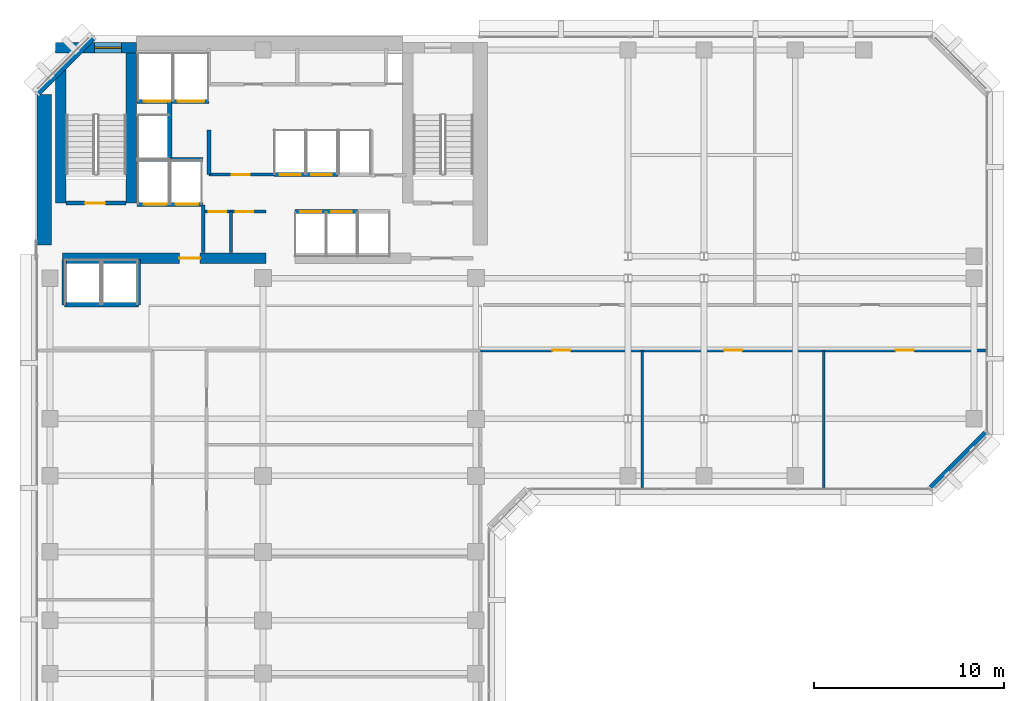
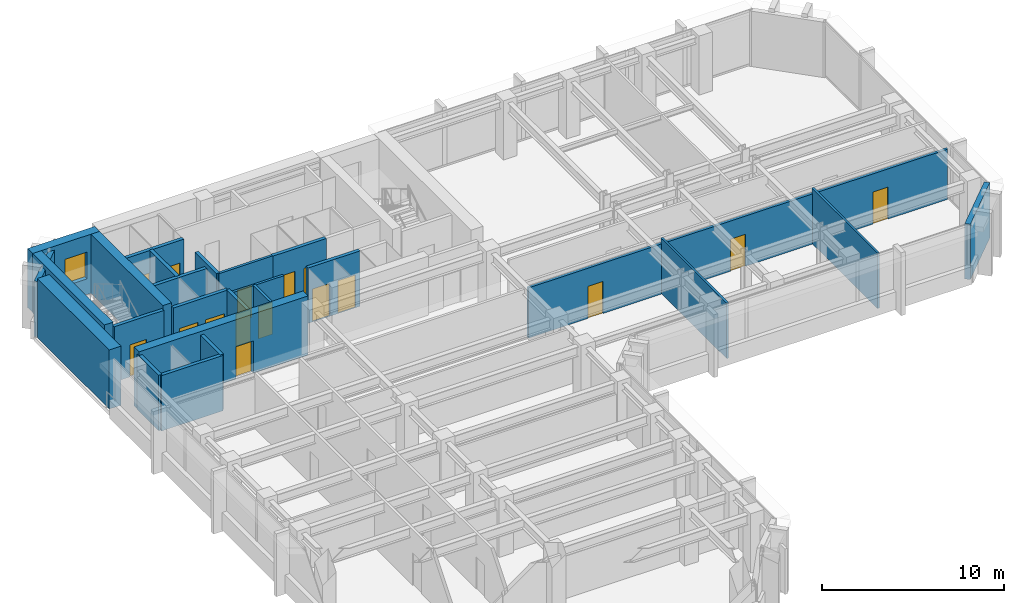
# One storey, part 7 of 11: 25 walls, 16 doors, 1 window, 17 openings.
"""IFC4 building model written with IfcOpenShell, lengths in metres."""

from ifc_helpers import new_model, si_unit, direction, frame, frame_2d, origin, place, context, subcontext, project, spatial, rectangle, extrude, material, layer, layer_set, type_object, element, fill, save


model = new_model("IFC4")

# Units and contexts
model_context = context("Model", 3, precision=1e-05, world=origin(), true_north=direction((0.0, 1.0)))
body_context = subcontext(model_context, "Body", "Model", "MODEL_VIEW")
ifc_project = project(units=[si_unit("LENGTHUNIT", "METRE"), si_unit("AREAUNIT", "SQUARE_METRE"), si_unit("VOLUMEUNIT", "CUBIC_METRE"), si_unit("PLANEANGLEUNIT", "RADIAN"), si_unit("MASSUNIT", "GRAM", prefix="KILO")], contexts=[model_context])

# Site, building, storey
site_placement = place(None, origin())
site = spatial("IfcSite", under=ifc_project, at=site_placement, CompositionType="ELEMENT")
building_placement = place(site_placement, origin())
building = spatial("IfcBuilding", under=site, at=building_placement, Name="Kefirva Bronze Tower", CompositionType="ELEMENT")
storey_placement = place(building_placement, frame((0.0, 0.0, 146.85009765625)))
storey = spatial("IfcBuildingStorey", under=building, at=storey_placement, Name="L35", CompositionType="ELEMENT", Elevation=146.85009765625)

# Walls
ifc_material_1 = material(Name="Gypsum acoustic partition")
ifc_layer_1 = layer(ifc_material_1, 0.1298828125, Name="Gypsum acoustic partition")
ifc_layer_set_1 = layer_set([ifc_layer_1], Name="Gypsum acoustic partition")
wall_type_1 = type_object("IfcWallType", Name="Acoustic Office Partition 130mm", PredefinedType="PARTITIONING", material=ifc_layer_set_1)
for number, where, z_axis, x_axis, name in (
    (1, (31.94921875, 22.18994140625, 0.0), (0.0, 0.0, 1.0), (0.0, 1.0, 0.0), "L35 Partition W-L35-ESD1"),
    (2, (41.5107421875, 22.18994140625, 0.0), (0.0, 0.0, 1.0), (0.0, 1.0, 0.0), "L35 Partition W-L35-ESD2"),
):
    element("IfcWall", number, at=place(storey_placement, frame(where, z_axis=z_axis, x_axis=x_axis)), inside=storey, type_object=wall_type_1, Name=name, PredefinedType="PARTITIONING", context=body_context, shape_type="SweptSolid", body=[
        extrude(rectangle(XDim=7.2099609375, YDim=0.1298828125, at=frame_2d((3.60498046875, 0.0))), origin(), (0.0, 0.0, 1.0), 3.7099609375),
    ])

# Wall, opening, door
ifc_material_2 = material(Name="Gypsum fireboard shaftwall")
ifc_layer_2 = layer(ifc_material_2, 0.219970703125, Name="Gypsum fireboard shaftwall")
ifc_layer_set_2 = layer_set([ifc_layer_2], Name="Gypsum fireboard shaftwall")
wall_type_2 = type_object("IfcWallType", Name="Fire-Rated Shaft Enclosure Wall 220mm", PredefinedType="PARTITIONING", material=ifc_layer_set_2)
wall_1_placement = place(storey_placement, frame((1.64990234375, 37.14990234375, 0.0), z_axis=(0.0, 0.0, 1.0), x_axis=(1.0, 0.0, 0.0)))
wall_1 = element("IfcWall", 3, at=wall_1_placement, inside=storey, type_object=wall_type_2, Name="L35 Partition W-L35-ST1S", PredefinedType="PARTITIONING", context=body_context, shape_type="SweptSolid", body=[
    extrude(rectangle(XDim=3.150146484375, YDim=0.219970703125, at=frame_2d((1.5751953125, 0.0))), origin(), (0.0, 0.0, 1.0), 3.7099609375),
])
opening_1_placement = place(wall_1_placement, frame((2.050048828125, 0.0, 0.0), z_axis=(0.0, 0.0, 1.0), x_axis=(-1.0, 0.0, 0.0)))
opening_1 = element("IfcOpeningElement", 4, at=opening_1_placement, cuts=wall_1, Name="Opening L35-D001", PredefinedType="OPENING", context=body_context, shape_type="SweptSolid", body=[
    extrude(rectangle(XDim=1.050048828125, YDim=2.14990234375, at=frame_2d((0.52490234375, 1.074951171875))), frame((0.0, 0.1201171875, 0.0), z_axis=(0.0, -1.0, 0.0), x_axis=(1.0, 0.0, 0.0)), (0.0, 0.0, 1.0), 0.239990234375),
])
ifc_material_3 = material(Name="Painted galvanized steel", Category="steel")
door_type_1 = type_object("IfcDoorType", Name="Fire Stair Enclosure Door 1050x2150 FD90S", OperationType="NOTDEFINED", PredefinedType="DOOR", material=ifc_material_3)
door_1_placement = place(opening_1_placement, origin())
door_1 = element("IfcDoor", 5, at=door_1_placement, inside=storey, type_object=door_type_1, Name="Door L35-D001", OperationType="SINGLE_SWING_LEFT", OverallHeight=2.14990234375, OverallWidth=1.050048828125, PredefinedType="DOOR", context=body_context, shape_type="SweptSolid", body=[
    extrude(rectangle(XDim=1.050048828125, YDim=2.14990234375, at=frame_2d((0.52490234375, 1.074951171875))), frame((0.0, 0.02490234375, 0.0), z_axis=(0.0, -1.0, 0.0), x_axis=(1.0, 0.0, 0.0)), (0.0, 0.0, 1.0), 0.050048828125),
])
fill(opening_1, door_1)

# Wall, openings, doors
wall_2_placement = place(storey_placement, frame((5.3798828125, 37.080078125, 0.0), z_axis=(0.0, 0.0, 1.0), x_axis=(1.0, 0.0, 0.0)))
wall_2 = element("IfcWall", 6, at=wall_2_placement, inside=storey, type_object=wall_type_2, Name="L35 Partition W-L35-FFS", PredefinedType="PARTITIONING", context=body_context, shape_type="SweptSolid", body=[
    extrude(rectangle(XDim=3.460205078125, YDim=0.219970703125, at=frame_2d((1.72998046875, 0.0))), origin(), (0.0, 0.0, 1.0), 3.7099609375),
])
opening_2_placement = place(wall_2_placement, frame((1.550048828125, 0.0, 0.0), z_axis=(0.0, 0.0, 1.0), x_axis=(-1.0, 0.0, 0.0)))
opening_2 = element("IfcOpeningElement", 7, at=opening_2_placement, cuts=wall_2, Name="Opening L35-LD-FF1", PredefinedType="OPENING", context=body_context, shape_type="SweptSolid", body=[
    extrude(rectangle(XDim=1.199951171875, YDim=2.199951171875, at=frame_2d((0.60009765625, 1.10009765625))), frame((0.0, 0.1201171875, 0.0), z_axis=(0.0, -1.0, 0.0), x_axis=(1.0, 0.0, 0.0)), (0.0, 0.0, 1.0), 0.239990234375),
])
opening_3_placement = place(wall_2_placement, frame((3.219970703125, 0.0, 0.0), z_axis=(0.0, 0.0, 1.0), x_axis=(-1.0, 0.0, 0.0)))
opening_3 = element("IfcOpeningElement", 8, at=opening_3_placement, cuts=wall_2, Name="Opening L35-LD-FF2", PredefinedType="OPENING", context=body_context, shape_type="SweptSolid", body=[
    extrude(rectangle(XDim=1.199951171875, YDim=2.199951171875, at=frame_2d((0.60009765625, 1.10009765625))), frame((0.0, 0.1201171875, 0.0), z_axis=(0.0, -1.0, 0.0), x_axis=(1.0, 0.0, 0.0)), (0.0, 0.0, 1.0), 0.239990234375),
])
ifc_material_4 = material(Name="Stainless steel 316", Category="steel")
door_type_2 = type_object("IfcDoorType", Name="Firefighting Lift Sliding Door 1200x2200", OperationType="SLIDING_TO_RIGHT", PredefinedType="DOOR", material=ifc_material_4)
door_2_placement = place(opening_2_placement, origin())
door_2 = element("IfcDoor", 9, at=door_2_placement, inside=storey, type_object=door_type_2, Name="Door L35-LD-FF1", OperationType="SLIDING_TO_RIGHT", OverallHeight=2.199951171875, OverallWidth=1.199951171875, PredefinedType="DOOR", context=body_context, shape_type="SweptSolid", body=[
    extrude(rectangle(XDim=1.199951171875, YDim=2.199951171875, at=frame_2d((0.60009765625, 1.10009765625))), frame((0.0, 0.02490234375, 0.0), z_axis=(0.0, -1.0, 0.0), x_axis=(1.0, 0.0, 0.0)), (0.0, 0.0, 1.0), 0.050048828125),
])
fill(opening_2, door_2)
door_3_placement = place(opening_3_placement, origin())
door_3 = element("IfcDoor", 10, at=door_3_placement, inside=storey, type_object=door_type_2, Name="Door L35-LD-FF2", OperationType="SLIDING_TO_RIGHT", OverallHeight=2.199951171875, OverallWidth=1.199951171875, PredefinedType="DOOR", context=body_context, shape_type="SweptSolid", body=[
    extrude(rectangle(XDim=1.199951171875, YDim=2.199951171875, at=frame_2d((0.60009765625, 1.10009765625))), frame((0.0, 0.02490234375, 0.0), z_axis=(0.0, -1.0, 0.0), x_axis=(1.0, 0.0, 0.0)), (0.0, 0.0, 1.0), 0.050048828125),
])
fill(opening_3, door_3)

# Wall
wall_3_placement = place(storey_placement, frame((5.3798828125, 39.449951171875, 0.0), z_axis=(0.0, 0.0, 1.0), x_axis=(1.0, 0.0, 0.0)))
element("IfcWall", 11, at=wall_3_placement, inside=storey, type_object=wall_type_2, Name="L35 Partition W-L35-FFN", PredefinedType="PARTITIONING", context=body_context, shape_type="SweptSolid", body=[
    extrude(rectangle(XDim=3.460205078125, YDim=0.219970703125, at=frame_2d((1.72998046875, 0.0))), origin(), (0.0, 0.0, 1.0), 3.7099609375),
])

# Wall, openings, doors
wall_4_placement = place(storey_placement, frame((5.3798828125, 42.5, 0.0), z_axis=(0.0, 0.0, 1.0), x_axis=(1.0, 0.0, 0.0)))
wall_4 = element("IfcWall", 12, at=wall_4_placement, inside=storey, type_object=wall_type_2, Name="L35 Partition W-L35-SVS", PredefinedType="PARTITIONING", context=body_context, shape_type="SweptSolid", body=[
    extrude(rectangle(XDim=3.77001953125, YDim=0.219970703125, at=frame_2d((1.885009765625, 0.0))), origin(), (0.0, 0.0, 1.0), 3.7099609375),
])
opening_4_placement = place(wall_4_placement, frame((1.75, 0.0, 0.0), z_axis=(0.0, 0.0, 1.0), x_axis=(-1.0, 0.0, 0.0)))
opening_4 = element("IfcOpeningElement", 13, at=opening_4_placement, cuts=wall_4, Name="Opening L35-LD-SV1", PredefinedType="OPENING", context=body_context, shape_type="SweptSolid", body=[
    extrude(rectangle(XDim=1.39990234375, YDim=2.199951171875, at=frame_2d((0.699951171875, 1.10009765625))), frame((0.0, 0.1201171875, 0.0), z_axis=(0.0, -1.0, 0.0), x_axis=(1.0, 0.0, 0.0)), (0.0, 0.0, 1.0), 0.239990234375),
])
opening_5_placement = place(wall_4_placement, frame((3.52978515625, 0.0, 0.0), z_axis=(0.0, 0.0, 1.0), x_axis=(-1.0, 0.0, 0.0)))
opening_5 = element("IfcOpeningElement", 14, at=opening_5_placement, cuts=wall_4, Name="Opening L35-LD-SV2", PredefinedType="OPENING", context=body_context, shape_type="SweptSolid", body=[
    extrude(rectangle(XDim=1.39990234375, YDim=2.199951171875, at=frame_2d((0.699951171875, 1.10009765625))), frame((0.0, 0.1201171875, 0.0), z_axis=(0.0, -1.0, 0.0), x_axis=(1.0, 0.0, 0.0)), (0.0, 0.0, 1.0), 0.239990234375),
])
door_type_3 = type_object("IfcDoorType", Name="Goods Lift Bi-Parting Sliding Door 1400x2200", OperationType="SLIDING_TO_LEFT", PredefinedType="DOOR", material=ifc_material_4)
door_4_placement = place(opening_4_placement, origin())
door_4 = element("IfcDoor", 15, at=door_4_placement, inside=storey, type_object=door_type_3, Name="Door L35-LD-SV1", OperationType="SLIDING_TO_LEFT", OverallHeight=2.199951171875, OverallWidth=1.39990234375, PredefinedType="DOOR", context=body_context, shape_type="SweptSolid", body=[
    extrude(rectangle(XDim=1.39990234375, YDim=2.199951171875, at=frame_2d((0.699951171875, 1.10009765625))), frame((0.0, 0.02490234375, 0.0), z_axis=(0.0, -1.0, 0.0), x_axis=(1.0, 0.0, 0.0)), (0.0, 0.0, 1.0), 0.050048828125),
])
fill(opening_4, door_4)
door_5_placement = place(opening_5_placement, origin())
door_5 = element("IfcDoor", 16, at=door_5_placement, inside=storey, type_object=door_type_3, Name="Door L35-LD-SV2", OperationType="SLIDING_TO_LEFT", OverallHeight=2.199951171875, OverallWidth=1.39990234375, PredefinedType="DOOR", context=body_context, shape_type="SweptSolid", body=[
    extrude(rectangle(XDim=1.39990234375, YDim=2.199951171875, at=frame_2d((0.699951171875, 1.10009765625))), frame((0.0, 0.02490234375, 0.0), z_axis=(0.0, -1.0, 0.0), x_axis=(1.0, 0.0, 0.0)), (0.0, 0.0, 1.0), 0.050048828125),
])
fill(opening_5, door_5)

# Walls
wall_5_placement = place(storey_placement, frame((7.10009765625, 39.52001953125, 0.0), z_axis=(0.0, 0.0, 1.0), x_axis=(0.0, 1.0, 0.0)))
element("IfcWall", 17, at=wall_5_placement, inside=storey, type_object=wall_type_2, Name="L35 Partition W-L35-HP3E", PredefinedType="PARTITIONING", context=body_context, shape_type="SweptSolid", body=[
    extrude(rectangle(XDim=2.929931640625, YDim=0.219970703125, at=frame_2d((1.46484375, 0.0))), origin(), (0.0, 0.0, 1.0), 3.7099609375),
])
wall_6_placement = place(storey_placement, frame((1.550048828125, 31.800048828125, 0.0), z_axis=(0.0, 0.0, 1.0), x_axis=(1.0, 0.0, 0.0)))
element("IfcWall", 18, at=wall_6_placement, inside=storey, type_object=wall_type_2, Name="L35 Partition W-L35-OBS", PredefinedType="PARTITIONING", context=body_context, shape_type="SweptSolid", body=[
    extrude(rectangle(XDim=3.89990234375, YDim=0.219970703125, at=frame_2d((1.949951171875, 0.0))), origin(), (0.0, 0.0, 1.0), 3.7099609375),
])
for number, where, z_axis, x_axis, name in (
    (19, (1.550048828125, 31.800048828125, 0.0), (0.0, 0.0, 1.0), (0.0, 1.0, 0.0), "L35 Partition W-L35-OBW"),
    (20, (5.449951171875, 31.800048828125, 0.0), (0.0, 0.0, 1.0), (0.0, 1.0, 0.0), "L35 Partition W-L35-OBE"),
):
    element("IfcWall", number, at=place(storey_placement, frame(where, z_axis=z_axis, x_axis=x_axis)), inside=storey, type_object=wall_type_2, Name=name, PredefinedType="PARTITIONING", context=body_context, shape_type="SweptSolid", body=[
        extrude(rectangle(XDim=2.3798828125, YDim=0.219970703125, at=frame_2d((1.18994140625, 0.0))), origin(), (0.0, 0.0, 1.0), 3.7099609375),
    ])
wall_7_placement = place(storey_placement, frame((9.159912109375, 38.64990234375, 0.0), z_axis=(0.0, 0.0, 1.0), x_axis=(0.0, 1.0, 0.0)))
element("IfcWall", 21, at=wall_7_placement, inside=storey, type_object=wall_type_2, Name="L35 Partition W-L35-LP3W", PredefinedType="PARTITIONING", context=body_context, shape_type="SweptSolid", body=[
    extrude(rectangle(XDim=2.35009765625, YDim=0.199951171875, at=frame_2d((1.175048828125, 0.0))), origin(), (0.0, 0.0, 1.0), 3.7099609375),
])

# Wall, openings, doors
wall_8_placement = place(storey_placement, frame((13.679931640625, 36.699951171875, 0.0), z_axis=(0.0, 0.0, 1.0), x_axis=(1.0, 0.0, 0.0)))
wall_8 = element("IfcWall", 22, at=wall_8_placement, inside=storey, type_object=wall_type_2, Name="L35 Partition W-L35-MPS", PredefinedType="PARTITIONING", context=body_context, shape_type="SweptSolid", body=[
    extrude(rectangle(XDim=3.280029296875, YDim=0.219970703125, at=frame_2d((1.64013671875, 0.0))), origin(), (0.0, 0.0, 1.0), 3.7099609375),
])
opening_6_placement = place(wall_8_placement, frame((0.280029296875, 0.0, 0.0)))
opening_6 = element("IfcOpeningElement", 23, at=opening_6_placement, cuts=wall_8, Name="Opening L35-LD-MP1", PredefinedType="OPENING", context=body_context, shape_type="SweptSolid", body=[
    extrude(rectangle(XDim=1.10009765625, YDim=2.199951171875, at=frame_2d((0.550048828125, 1.10009765625))), frame((0.0, 0.1201171875, 0.0), z_axis=(0.0, -1.0, 0.0), x_axis=(1.0, 0.0, 0.0)), (0.0, 0.0, 1.0), 0.239990234375),
])
opening_7_placement = place(wall_8_placement, frame((1.89990234375, 0.0, 0.0)))
opening_7 = element("IfcOpeningElement", 24, at=opening_7_placement, cuts=wall_8, Name="Opening L35-LD-MP2", PredefinedType="OPENING", context=body_context, shape_type="SweptSolid", body=[
    extrude(rectangle(XDim=1.10009765625, YDim=2.199951171875, at=frame_2d((0.550048828125, 1.10009765625))), frame((0.0, 0.1201171875, 0.0), z_axis=(0.0, -1.0, 0.0), x_axis=(1.0, 0.0, 0.0)), (0.0, 0.0, 1.0), 0.239990234375),
])
door_type_4 = type_object("IfcDoorType", Name="Passenger Lift Sliding Landing Door 1100x2200", OperationType="SLIDING_TO_LEFT", PredefinedType="DOOR", material=ifc_material_4)
door_6_placement = place(opening_6_placement, origin())
door_6 = element("IfcDoor", 25, at=door_6_placement, inside=storey, type_object=door_type_4, Name="Door L35-LD-MP1", OperationType="SLIDING_TO_RIGHT", OverallHeight=2.199951171875, OverallWidth=1.10009765625, PredefinedType="DOOR", context=body_context, shape_type="SweptSolid", body=[
    extrude(rectangle(XDim=1.10009765625, YDim=2.199951171875, at=frame_2d((0.550048828125, 1.10009765625))), frame((0.0, 0.02490234375, 0.0), z_axis=(0.0, -1.0, 0.0), x_axis=(1.0, 0.0, 0.0)), (0.0, 0.0, 1.0), 0.050048828125),
])
fill(opening_6, door_6)
door_7_placement = place(opening_7_placement, origin())
door_7 = element("IfcDoor", 26, at=door_7_placement, inside=storey, type_object=door_type_4, Name="Door L35-LD-MP2", OperationType="SLIDING_TO_RIGHT", OverallHeight=2.199951171875, OverallWidth=1.10009765625, PredefinedType="DOOR", context=body_context, shape_type="SweptSolid", body=[
    extrude(rectangle(XDim=1.10009765625, YDim=2.199951171875, at=frame_2d((0.550048828125, 1.10009765625))), frame((0.0, 0.02490234375, 0.0), z_axis=(0.0, -1.0, 0.0), x_axis=(1.0, 0.0, 0.0)), (0.0, 0.0, 1.0), 0.050048828125),
])
fill(opening_7, door_7)

wall_9_placement = place(storey_placement, frame((12.580078125, 38.64990234375, 0.0), z_axis=(0.0, 0.0, 1.0), x_axis=(1.0, 0.0, 0.0)))
wall_9 = element("IfcWall", 27, at=wall_9_placement, inside=storey, type_object=wall_type_2, Name="L35 Partition W-L35-MPN", PredefinedType="PARTITIONING", context=body_context, shape_type="SweptSolid", body=[
    extrude(rectangle(XDim=3.3798828125, YDim=0.219970703125, at=frame_2d((1.68994140625, 0.0))), origin(), (0.0, 0.0, 1.0), 3.7099609375),
])
opening_8_placement = place(wall_9_placement, frame((0.300048828125, 0.0, 0.0)))
opening_8 = element("IfcOpeningElement", 28, at=opening_8_placement, cuts=wall_9, Name="Opening L35-LD-MP3", PredefinedType="OPENING", context=body_context, shape_type="SweptSolid", body=[
    extrude(rectangle(XDim=1.10009765625, YDim=2.199951171875, at=frame_2d((0.550048828125, 1.10009765625))), frame((0.0, 0.1201171875, 0.0), z_axis=(0.0, -1.0, 0.0), x_axis=(1.0, 0.0, 0.0)), (0.0, 0.0, 1.0), 0.239990234375),
])
opening_9_placement = place(wall_9_placement, frame((1.949951171875, 0.0, 0.0)))
opening_9 = element("IfcOpeningElement", 29, at=opening_9_placement, cuts=wall_9, Name="Opening L35-LD-MP4", PredefinedType="OPENING", context=body_context, shape_type="SweptSolid", body=[
    extrude(rectangle(XDim=1.10009765625, YDim=2.199951171875, at=frame_2d((0.550048828125, 1.10009765625))), frame((0.0, 0.1201171875, 0.0), z_axis=(0.0, -1.0, 0.0), x_axis=(1.0, 0.0, 0.0)), (0.0, 0.0, 1.0), 0.239990234375),
])
door_8_placement = place(opening_8_placement, origin())
door_8 = element("IfcDoor", 30, at=door_8_placement, inside=storey, type_object=door_type_4, Name="Door L35-LD-MP3", OperationType="SLIDING_TO_RIGHT", OverallHeight=2.199951171875, OverallWidth=1.10009765625, PredefinedType="DOOR", context=body_context, shape_type="SweptSolid", body=[
    extrude(rectangle(XDim=1.10009765625, YDim=2.199951171875, at=frame_2d((0.550048828125, 1.10009765625))), frame((0.0, 0.02490234375, 0.0), z_axis=(0.0, -1.0, 0.0), x_axis=(1.0, 0.0, 0.0)), (0.0, 0.0, 1.0), 0.050048828125),
])
fill(opening_8, door_8)
door_9_placement = place(opening_9_placement, origin())
door_9 = element("IfcDoor", 31, at=door_9_placement, inside=storey, type_object=door_type_4, Name="Door L35-LD-MP4", OperationType="SLIDING_TO_RIGHT", OverallHeight=2.199951171875, OverallWidth=1.10009765625, PredefinedType="DOOR", context=body_context, shape_type="SweptSolid", body=[
    extrude(rectangle(XDim=1.10009765625, YDim=2.199951171875, at=frame_2d((0.550048828125, 1.10009765625))), frame((0.0, 0.02490234375, 0.0), z_axis=(0.0, -1.0, 0.0), x_axis=(1.0, 0.0, 0.0)), (0.0, 0.0, 1.0), 0.050048828125),
])
fill(opening_9, door_9)

# Walls
ifc_material_5 = material(Name="Gypsum fireboard barrier")
ifc_layer_3 = layer(ifc_material_5, 0.199951171875, Name="Gypsum fireboard barrier")
ifc_layer_set_3 = layer_set([ifc_layer_3], Name="Gypsum fireboard barrier")
wall_type_3 = type_object("IfcWallType", Name="Firefighting Lobby Barrier Wall 200mm", PredefinedType="PARTITIONING", material=ifc_layer_set_3)
wall_10_placement = place(storey_placement, frame((8.860107421875, 34.550048828125, 0.0), z_axis=(0.0, 0.0, 1.0), x_axis=(0.0, 1.0, 0.0)))
element("IfcWall", 32, at=wall_10_placement, inside=storey, type_object=wall_type_3, Name="L35 Partition W-L35-FFLE", PredefinedType="PARTITIONING", context=body_context, shape_type="SweptSolid", body=[
    extrude(rectangle(XDim=2.5, YDim=0.199951171875, at=frame_2d((1.25, 0.0))), origin(), (0.0, 0.0, 1.0), 3.7099609375),
])
ifc_material_6 = material(Name="Precast concrete C40/50", Category="concrete")
ifc_layer_4 = layer(ifc_material_6, 0.320068359375, Name="Precast concrete C40/50")
ifc_layer_set_4 = layer_set([ifc_layer_4], Name="Precast concrete C40/50")
wall_type_4 = type_object("IfcWallType", Name="Precast Insulated Exterior Wall 320mm", PredefinedType="SOLIDWALL", material=ifc_layer_set_4)
for number, where, z_axis, x_axis, name in (
    (33, (47.125732421875, 22.152099609375, 0.0), (0.0, 0.0, 1.0), (0.707136318428, 0.707077242712, 0.0), "L35 Exterior Facade Wall 6"),
    (34, (3.07421875, 45.847900390625, 0.0), (0.0, 0.0, 1.0), (-0.707106781187, -0.707106781187, 0.0), "L35 Exterior Facade Wall 8"),
):
    element("IfcWall", number, at=place(storey_placement, frame(where, z_axis=z_axis, x_axis=x_axis)), inside=storey, type_object=wall_type_4, Name=name, PredefinedType="SOLIDWALL", context=body_context, shape_type="SweptSolid", body=[
        extrude(rectangle(XDim=4.132568359375, YDim=0.320068359375, at=frame_2d((2.06640625, 0.0))), origin(), (0.0, 0.0, 1.0), 3.7099609375),
    ])

# Wall, openings, doors
ifc_layer_5 = layer(ifc_material_1, 0.159912109375, Name="Gypsum acoustic partition")
ifc_layer_set_5 = layer_set([ifc_layer_5], Name="Gypsum acoustic partition")
wall_type_5 = type_object("IfcWallType", Name="Protected Corridor Partition 160mm", PredefinedType="PARTITIONING", material=ifc_layer_set_5)
wall_11_placement = place(storey_placement, frame((8.89990234375, 36.699951171875, 0.0), z_axis=(0.0, 0.0, 1.0), x_axis=(1.0, 0.0, 0.0)))
wall_11 = element("IfcWall", 35, at=wall_11_placement, inside=storey, type_object=wall_type_5, Name="L35 Partition W-L35-RECLP1", PredefinedType="PARTITIONING", context=body_context, shape_type="SweptSolid", body=[
    extrude(rectangle(XDim=3.25, YDim=0.159912109375, at=frame_2d((1.625, 0.0))), origin(), (0.0, 0.0, 1.0), 3.7099609375),
])
opening_10_placement = place(wall_11_placement, frame((0.260009765625, 0.0, 0.0)))
opening_10 = element("IfcOpeningElement", 36, at=opening_10_placement, cuts=wall_11, Name="Opening L35-D-RECLP1A", PredefinedType="OPENING", context=body_context, shape_type="SweptSolid", body=[
    extrude(rectangle(XDim=0.89990234375, YDim=2.14990234375, at=frame_2d((0.449951171875, 1.074951171875))), frame((0.0, 0.08984375, 0.0), z_axis=(0.0, -1.0, 0.0), x_axis=(1.0, 0.0, 0.0)), (0.0, 0.0, 1.0), 0.179931640625),
])
opening_11_placement = place(wall_11_placement, frame((1.679931640625, 0.0, 0.0)))
opening_11 = element("IfcOpeningElement", 37, at=opening_11_placement, cuts=wall_11, Name="Opening L35-D-RECLP1B", PredefinedType="OPENING", context=body_context, shape_type="SweptSolid", body=[
    extrude(rectangle(XDim=0.89990234375, YDim=2.14990234375, at=frame_2d((0.449951171875, 1.074951171875))), frame((0.0, 0.08984375, 0.0), z_axis=(0.0, -1.0, 0.0), x_axis=(1.0, 0.0, 0.0)), (0.0, 0.0, 1.0), 0.179931640625),
])
door_type_5 = type_object("IfcDoorType", Name="Core Archive & Server Fire Door 900x2150 FD60S", OperationType="NOTDEFINED", PredefinedType="DOOR", material=ifc_material_3)
door_10_placement = place(opening_10_placement, origin())
door_10 = element("IfcDoor", 38, at=door_10_placement, inside=storey, type_object=door_type_5, Name="Door L35-D-RECLP1A", OperationType="SINGLE_SWING_RIGHT", OverallHeight=2.14990234375, OverallWidth=0.89990234375, PredefinedType="DOOR", context=body_context, shape_type="SweptSolid", body=[
    extrude(rectangle(XDim=0.89990234375, YDim=2.14990234375, at=frame_2d((0.449951171875, 1.074951171875))), frame((0.0, 0.02490234375, 0.0), z_axis=(0.0, -1.0, 0.0), x_axis=(1.0, 0.0, 0.0)), (0.0, 0.0, 1.0), 0.050048828125),
])
fill(opening_10, door_10)
door_11_placement = place(opening_11_placement, origin())
door_11 = element("IfcDoor", 39, at=door_11_placement, inside=storey, type_object=door_type_5, Name="Door L35-D-RECLP1B", OperationType="SINGLE_SWING_LEFT", OverallHeight=2.14990234375, OverallWidth=0.89990234375, PredefinedType="DOOR", context=body_context, shape_type="SweptSolid", body=[
    extrude(rectangle(XDim=0.89990234375, YDim=2.14990234375, at=frame_2d((0.449951171875, 1.074951171875))), frame((0.0, 0.02490234375, 0.0), z_axis=(0.0, -1.0, 0.0), x_axis=(1.0, 0.0, 0.0)), (0.0, 0.0, 1.0), 0.050048828125),
])
fill(opening_11, door_11)

# Wall
wall_12_placement = place(storey_placement, frame((10.320068359375, 34.550048828125, 0.0), z_axis=(0.0, 0.0, 1.0), x_axis=(0.0, 1.0, 0.0)))
element("IfcWall", 40, at=wall_12_placement, inside=storey, type_object=wall_type_5, Name="L35 Partition W-L35-RECLP1D", PredefinedType="PARTITIONING", context=body_context, shape_type="SweptSolid", body=[
    extrude(rectangle(XDim=2.14990234375, YDim=0.159912109375, at=frame_2d((1.074951171875, 0.0))), origin(), (0.0, 0.0, 1.0), 3.7099609375),
])

# Wall, opening, door
wall_13_placement = place(storey_placement, frame((9.159912109375, 38.64990234375, 0.0), z_axis=(0.0, 0.0, 1.0), x_axis=(1.0, 0.0, 0.0)))
wall_13 = element("IfcWall", 41, at=wall_13_placement, inside=storey, type_object=wall_type_5, Name="L35 Partition W-L35-RECLP2", PredefinedType="PARTITIONING", context=body_context, shape_type="SweptSolid", body=[
    extrude(rectangle(XDim=3.420166015625, YDim=0.159912109375, at=frame_2d((1.7099609375, 0.0))), origin(), (0.0, 0.0, 1.0), 3.7099609375),
])
opening_12_placement = place(wall_13_placement, frame((2.14990234375, 0.0, 0.0), z_axis=(0.0, 0.0, 1.0), x_axis=(-1.0, 0.0, 0.0)))
opening_12 = element("IfcOpeningElement", 42, at=opening_12_placement, cuts=wall_13, Name="Opening L35-D-RECLP2", PredefinedType="OPENING", context=body_context, shape_type="SweptSolid", body=[
    extrude(rectangle(XDim=0.949951171875, YDim=2.14990234375, at=frame_2d((0.47509765625, 1.074951171875))), frame((0.0, 0.08984375, 0.0), z_axis=(0.0, -1.0, 0.0), x_axis=(1.0, 0.0, 0.0)), (0.0, 0.0, 1.0), 0.179931640625),
])
ifc_material_7 = material(Name="Acoustic hardwood oak", Category="wood")
door_type_6 = type_object("IfcDoorType", Name="Office & Meeting Room Door 950x2150", OperationType="NOTDEFINED", PredefinedType="DOOR", material=ifc_material_7)
door_12_placement = place(opening_12_placement, origin())
door_12 = element("IfcDoor", 43, at=door_12_placement, inside=storey, type_object=door_type_6, Name="Door L35-D-RECLP2", OperationType="SINGLE_SWING_RIGHT", OverallHeight=2.14990234375, OverallWidth=0.949951171875, PredefinedType="DOOR", context=body_context, shape_type="SweptSolid", body=[
    extrude(rectangle(XDim=0.949951171875, YDim=2.14990234375, at=frame_2d((0.47509765625, 1.074951171875))), frame((0.0, 0.02490234375, 0.0), z_axis=(0.0, -1.0, 0.0), x_axis=(1.0, 0.0, 0.0)), (0.0, 0.0, 1.0), 0.050048828125),
])
fill(opening_12, door_12)

# Wall, openings, doors
wall_14_placement = place(storey_placement, frame((23.449951171875, 29.39990234375, 0.0), z_axis=(0.0, 0.0, 1.0), x_axis=(1.0, 0.0, 0.0)))
wall_14 = element("IfcWall", 44, at=wall_14_placement, inside=storey, type_object=wall_type_5, Name="L35 Partition W-L35-EWS", PredefinedType="PARTITIONING", context=body_context, shape_type="SweptSolid", body=[
    extrude(rectangle(XDim=26.56005859375, YDim=0.159912109375, at=frame_2d((13.280029296875, 0.0))), origin(), (0.0, 0.0, 1.0), 3.364990234375),
])
opening_13_placement = place(wall_14_placement, frame((4.724609375, 0.0, 0.0), z_axis=(0.0, 0.0, 1.0), x_axis=(-1.0, 0.0, 0.0)))
opening_13 = element("IfcOpeningElement", 45, at=opening_13_placement, cuts=wall_14, Name="Opening L35-D-ES1", PredefinedType="OPENING", context=body_context, shape_type="SweptSolid", body=[
    extrude(rectangle(XDim=0.949951171875, YDim=2.14990234375, at=frame_2d((0.47509765625, 1.074951171875))), frame((0.0, 0.08984375, 0.0), z_axis=(0.0, -1.0, 0.0), x_axis=(1.0, 0.0, 0.0)), (0.0, 0.0, 1.0), 0.179931640625),
])
opening_14_placement = place(wall_14_placement, frame((13.7548828125, 0.0, 0.0), z_axis=(0.0, 0.0, 1.0), x_axis=(-1.0, 0.0, 0.0)))
opening_14 = element("IfcOpeningElement", 46, at=opening_14_placement, cuts=wall_14, Name="Opening L35-D-ES2", PredefinedType="OPENING", context=body_context, shape_type="SweptSolid", body=[
    extrude(rectangle(XDim=0.949951171875, YDim=2.14990234375, at=frame_2d((0.47509765625, 1.074951171875))), frame((0.0, 0.08984375, 0.0), z_axis=(0.0, -1.0, 0.0), x_axis=(1.0, 0.0, 0.0)), (0.0, 0.0, 1.0), 0.179931640625),
])
opening_15_placement = place(wall_14_placement, frame((22.785400390625, 0.0, 0.0), z_axis=(0.0, 0.0, 1.0), x_axis=(-1.0, 0.0, 0.0)))
opening_15 = element("IfcOpeningElement", 47, at=opening_15_placement, cuts=wall_14, Name="Opening L35-D-ES3", PredefinedType="OPENING", context=body_context, shape_type="SweptSolid", body=[
    extrude(rectangle(XDim=0.949951171875, YDim=2.14990234375, at=frame_2d((0.47509765625, 1.074951171875))), frame((0.0, 0.08984375, 0.0), z_axis=(0.0, -1.0, 0.0), x_axis=(1.0, 0.0, 0.0)), (0.0, 0.0, 1.0), 0.179931640625),
])
door_13_placement = place(opening_13_placement, origin())
door_13 = element("IfcDoor", 48, at=door_13_placement, inside=storey, type_object=door_type_6, Name="Door L35-D-ES1", OperationType="SINGLE_SWING_LEFT", OverallHeight=2.14990234375, OverallWidth=0.949951171875, PredefinedType="DOOR", context=body_context, shape_type="SweptSolid", body=[
    extrude(rectangle(XDim=0.949951171875, YDim=2.14990234375, at=frame_2d((0.47509765625, 1.074951171875))), frame((0.0, 0.02490234375, 0.0), z_axis=(0.0, -1.0, 0.0), x_axis=(1.0, 0.0, 0.0)), (0.0, 0.0, 1.0), 0.050048828125),
])
fill(opening_13, door_13)
door_14_placement = place(opening_14_placement, origin())
door_14 = element("IfcDoor", 49, at=door_14_placement, inside=storey, type_object=door_type_6, Name="Door L35-D-ES2", OperationType="SINGLE_SWING_RIGHT", OverallHeight=2.14990234375, OverallWidth=0.949951171875, PredefinedType="DOOR", context=body_context, shape_type="SweptSolid", body=[
    extrude(rectangle(XDim=0.949951171875, YDim=2.14990234375, at=frame_2d((0.47509765625, 1.074951171875))), frame((0.0, 0.02490234375, 0.0), z_axis=(0.0, -1.0, 0.0), x_axis=(1.0, 0.0, 0.0)), (0.0, 0.0, 1.0), 0.050048828125),
])
fill(opening_14, door_14)
door_15_placement = place(opening_15_placement, origin())
door_15 = element("IfcDoor", 50, at=door_15_placement, inside=storey, type_object=door_type_6, Name="Door L35-D-ES3", OperationType="SINGLE_SWING_LEFT", OverallHeight=2.14990234375, OverallWidth=0.949951171875, PredefinedType="DOOR", context=body_context, shape_type="SweptSolid", body=[
    extrude(rectangle(XDim=0.949951171875, YDim=2.14990234375, at=frame_2d((0.47509765625, 1.074951171875))), frame((0.0, 0.02490234375, 0.0), z_axis=(0.0, -1.0, 0.0), x_axis=(1.0, 0.0, 0.0)), (0.0, 0.0, 1.0), 0.050048828125),
])
fill(opening_15, door_15)

# Wall, opening, window
ifc_material_8 = material(Name="Concrete C50/60", Category="concrete")
ifc_layer_6 = layer(ifc_material_8, 0.550048828125, Name="Concrete C50/60")
ifc_layer_set_6 = layer_set([ifc_layer_6], Name="Concrete C50/60")
wall_type_6 = type_object("IfcWallType", Name="RC Rear Core Exterior Wall 550mm", PredefinedType="SHEAR", material=ifc_layer_set_6)
wall_15_placement = place(storey_placement, frame((1.10009765625, 45.320068359375, 0.0), z_axis=(0.0, 0.0, 1.0), x_axis=(1.0, 0.0, 0.0)))
wall_15 = element("IfcWall", 51, at=wall_15_placement, inside=storey, type_object=wall_type_6, Name="L35 Stair 1 North Shear Wall", PredefinedType="SHEAR", context=body_context, shape_type="SweptSolid", body=[
    extrude(rectangle(XDim=4.239990234375, YDim=0.550048828125, at=frame_2d((2.1201171875, 0.0))), origin(), (0.0, 0.0, 1.0), 3.9599609375),
])
opening_16_placement = place(wall_15_placement, frame((2.050048828125, 0.0, 1.050048828125)))
opening_16 = element("IfcOpeningElement", 52, at=opening_16_placement, cuts=wall_15, Name="Opening WN-03", PredefinedType="OPENING", context=body_context, shape_type="SweptSolid", body=[
    extrude(rectangle(XDim=1.39990234375, YDim=1.800048828125, at=frame_2d((0.699951171875, 0.89990234375))), frame((0.0, 0.28515625, 0.0), z_axis=(0.0, -1.0, 0.0), x_axis=(1.0, 0.0, 0.0)), (0.0, 0.0, 1.0), 0.570068359375),
])
ifc_material_9 = material(Name="Laminated low-E double glazing", Category="glass")
window_type = type_object("IfcWindowType", Name="Rear-Core Stair Daylight Window 1400x1800", PartitioningType="SINGLE_PANEL", PredefinedType="WINDOW", material=ifc_material_9)
window_placement = place(opening_16_placement, origin())
window = element("IfcWindow", 53, at=window_placement, inside=storey, type_object=window_type, Name="L35 Stair 1 Daylight Window", OverallHeight=1.800048828125, OverallWidth=1.39990234375, PartitioningType="SINGLE_PANEL", PredefinedType="WINDOW", context=body_context, shape_type="SweptSolid", body=[
    extrude(rectangle(XDim=1.39990234375, YDim=1.800048828125, at=frame_2d((0.699951171875, 0.89990234375))), frame((0.0, 0.030029296875, 0.0), z_axis=(0.0, -1.0, 0.0), x_axis=(1.0, 0.0, 0.0)), (0.0, 0.0, 1.0), 0.06005859375),
])
fill(opening_16, window)

# Walls
ifc_material_10 = material(Name="Concrete C60/75", Category="concrete")
ifc_layer_7 = layer(ifc_material_10, 0.75, Name="Concrete C60/75")
ifc_layer_set_7 = layer_set([ifc_layer_7], Name="Concrete C60/75")
wall_type_7 = type_object("IfcWallType", Name="RC Rear Core Exterior Wall 750mm", PredefinedType="SHEAR", material=ifc_layer_set_7)
wall_16_placement = place(storey_placement, frame((0.5, 34.949951171875, 0.0), z_axis=(0.0, 0.0, 1.0), x_axis=(0.0, 1.0, 0.0)))
element("IfcWall", 54, at=wall_16_placement, inside=storey, type_object=wall_type_7, Name="L35 Rear Core West Shear Wall", PredefinedType="SHEAR", context=body_context, shape_type="SweptSolid", body=[
    extrude(rectangle(XDim=7.900146484375, YDim=0.75, at=frame_2d((3.9501953125, 0.0))), origin(), (0.0, 0.0, 1.0), 3.9599609375),
])
ifc_layer_8 = layer(ifc_material_8, 0.550048828125, Name="Concrete C50/60")
ifc_layer_set_8 = layer_set([ifc_layer_8], Name="Concrete C50/60")
wall_type_8 = type_object("IfcWallType", Name="RC Rear Core Interior Wall 550mm", PredefinedType="SHEAR", material=ifc_layer_set_8)
for number, where, z_axis, x_axis, name in (
    (55, (1.3701171875, 37.14990234375, 0.0), (0.0, 0.0, 1.0), (0.0, 1.0, 0.0), "L35 Stair 1 West Shear Wall"),
    (56, (5.070068359375, 37.14990234375, 0.0), (0.0, 0.0, 1.0), (0.0, 1.0, 0.0), "L35 Stair 1 East Shear Wall"),
):
    element("IfcWall", number, at=place(storey_placement, frame(where, z_axis=z_axis, x_axis=x_axis)), inside=storey, type_object=wall_type_8, Name=name, PredefinedType="SHEAR", context=body_context, shape_type="SweptSolid", body=[
        extrude(rectangle(XDim=7.89013671875, YDim=0.550048828125, at=frame_2d((3.945068359375, 0.0))), origin(), (0.0, 0.0, 1.0), 3.9599609375),
    ])

# Wall, opening, door
ifc_layer_9 = layer(ifc_material_10, 0.75, Name="Concrete C60/75")
ifc_layer_set_9 = layer_set([ifc_layer_9], Name="Concrete C60/75")
wall_type_9 = type_object("IfcWallType", Name="RC Rear Core Interior Wall 750mm", PredefinedType="SHEAR", material=ifc_layer_set_9)
wall_17_placement = place(storey_placement, frame((1.449951171875, 34.25, 0.0), z_axis=(0.0, 0.0, 1.0), x_axis=(1.0, 0.0, 0.0)))
wall_17 = element("IfcWall", 57, at=wall_17_placement, inside=storey, type_object=wall_type_9, Name="L35 Rear Core South-West Shear Wall", PredefinedType="SHEAR", context=body_context, shape_type="SweptSolid", body=[
    extrude(rectangle(XDim=10.7099609375, YDim=0.550048828125, at=frame_2d((5.35498046875, 0.0))), origin(), (0.0, 0.0, 1.0), 3.9599609375),
])
opening_17_placement = place(wall_17_placement, frame((7.25, 0.0, 0.0), z_axis=(0.0, 0.0, 1.0), x_axis=(-1.0, 0.0, 0.0)))
opening_17 = element("IfcOpeningElement", 58, at=opening_17_placement, cuts=wall_17, Name="Opening L35-D002", PredefinedType="OPENING", context=body_context, shape_type="SweptSolid", body=[
    extrude(rectangle(XDim=1.10009765625, YDim=2.14990234375, at=frame_2d((0.550048828125, 1.074951171875))), frame((0.0, 0.28515625, 0.0), z_axis=(0.0, -1.0, 0.0), x_axis=(1.0, 0.0, 0.0)), (0.0, 0.0, 1.0), 0.570068359375),
])
door_type_7 = type_object("IfcDoorType", Name="Firefighting Lobby Smoke Door 1100x2150 FD60S", OperationType="NOTDEFINED", PredefinedType="DOOR", material=ifc_material_3)
door_16_placement = place(opening_17_placement, origin())
door_16 = element("IfcDoor", 59, at=door_16_placement, inside=storey, type_object=door_type_7, Name="Door L35-D002", OperationType="SINGLE_SWING_RIGHT", OverallHeight=2.14990234375, OverallWidth=1.10009765625, PredefinedType="DOOR", context=body_context, shape_type="SweptSolid", body=[
    extrude(rectangle(XDim=1.10009765625, YDim=2.14990234375, at=frame_2d((0.550048828125, 1.074951171875))), frame((0.0, 0.02490234375, 0.0), z_axis=(0.0, -1.0, 0.0), x_axis=(1.0, 0.0, 0.0)), (0.0, 0.0, 1.0), 0.050048828125),
])
fill(opening_17, door_16)

save(model, "model.ifc")
